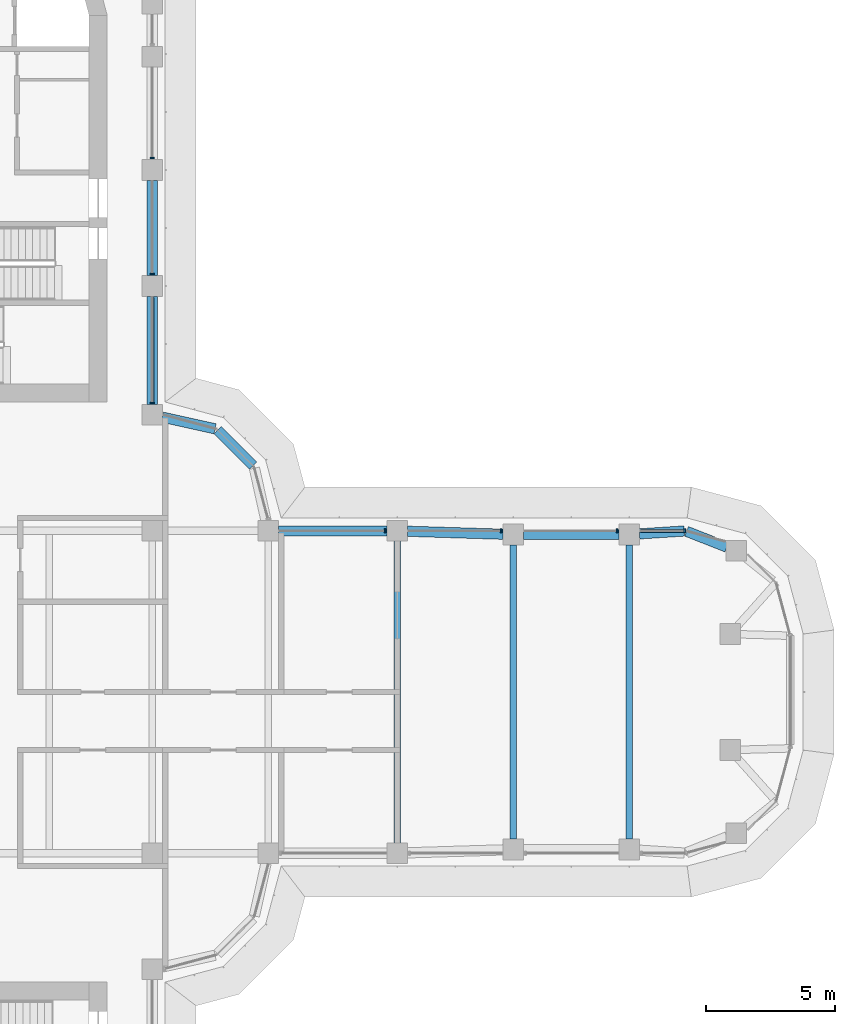
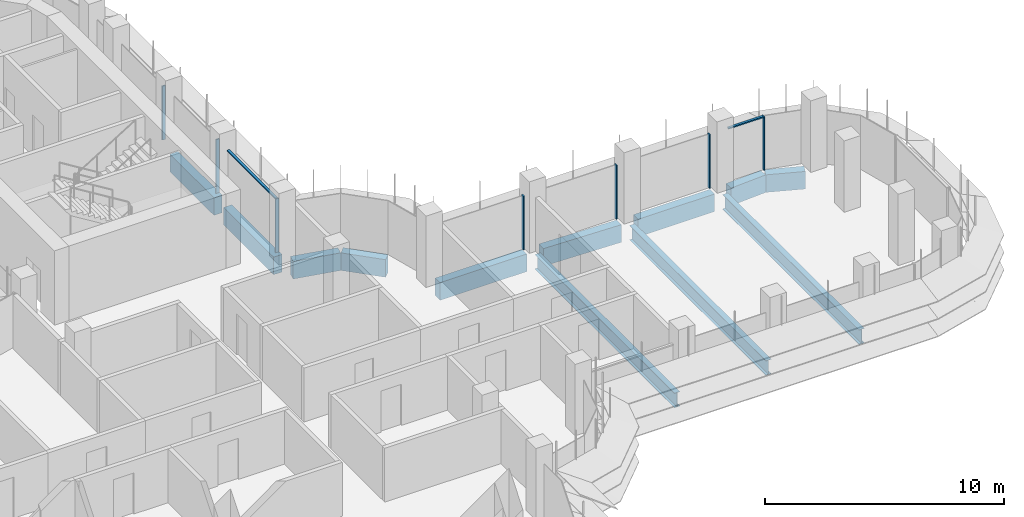
# One storey, part 8 of 19: 12 beams, 9 members, 2 elements without a shape of their own.
"""IFC4 building model written with IfcOpenShell, lengths in metres."""

from ifc_helpers import new_model, si_unit, direction, frame, origin, origin_2d, place, context, subcontext, project, spatial, polyline, rectangle, i_section, outline, extrude, source, transform, mapped, material, material_profile, profile_set, type_object, element, aggregate, save


model = new_model("IFC4")

# Units and contexts
model_context = context("Model", 3, precision=1e-05, world=origin(), true_north=direction((0.0, 1.0)))
body_context = subcontext(model_context, "Body", "Model", "MODEL_VIEW")
ifc_project = project(units=[si_unit("LENGTHUNIT", "METRE"), si_unit("AREAUNIT", "SQUARE_METRE"), si_unit("VOLUMEUNIT", "CUBIC_METRE"), si_unit("PLANEANGLEUNIT", "RADIAN"), si_unit("MASSUNIT", "GRAM", prefix="KILO")], contexts=[model_context])

# Site, building, storey
site_placement = place(None, origin())
site = spatial("IfcSite", under=ifc_project, at=site_placement, CompositionType="ELEMENT")
building_placement = place(site_placement, origin())
building = spatial("IfcBuilding", under=site, at=building_placement, Name="Zarbagh Exchange Tower", CompositionType="ELEMENT")
storey_placement = place(building_placement, frame((0.0, 0.0, 167.60009765625)))
storey = spatial("IfcBuildingStorey", under=building, at=storey_placement, Name="L40", CompositionType="ELEMENT", Elevation=167.60009765625)

# Beams
ifc_material_1 = material(Name="Steel ASTM A992 Gr 50", Category="steel")
ifc_material_profile_1 = material_profile(ifc_material_1, i_section(OverallWidth=0.26416015625, OverallDepth=0.749267578125, WebThickness=0.011962890625, FlangeThickness=0.015380859375, at=origin_2d()), Name="W30X90")
ifc_profile_set_1 = profile_set([ifc_material_profile_1], Name="Steel ASTM A992 Gr 50")
beam_type_1 = type_object("IfcBeamType", Name="Floor beam W30X90", PredefinedType="BEAM", material=ifc_profile_set_1)
beam_1_placement = place(storey_placement, frame((15.75, -5.85009765625, -0.524658203125), z_axis=(0.0, 1.0, 0.0), x_axis=(-1.0, 0.0, 0.0)))
element("IfcBeam", 1, at=beam_1_placement, inside=storey, type_object=beam_type_1, Name="Steel floor beam", PredefinedType="BEAM", context=body_context, shape_type="SweptSolid", body=[
    extrude(i_section(OverallWidth=0.26416015625, OverallDepth=0.749267578125, WebThickness=0.011962890625, FlangeThickness=0.015380859375, at=origin_2d()), origin(), (0.0, 0.0, 1.0), 11.7001953125),
])
for number, where, z_axis, x_axis, name in (
    (2, (20.25, -5.7099609375, -0.524658203125), (0.0, 1.0, 0.0), (-1.0, 0.0, 0.0), "Steel floor beam"),
    (3, (24.75, -5.7099609375, -0.524658203125), (0.0, 1.0, 0.0), (-1.0, 0.0, 0.0), "Steel floor beam"),
):
    element("IfcBeam", number, at=place(storey_placement, frame(where, z_axis=z_axis, x_axis=x_axis)), inside=storey, type_object=beam_type_1, Name=name, PredefinedType="BEAM", context=body_context, shape_type="SweptSolid", body=[
        extrude(i_section(OverallWidth=0.26416015625, OverallDepth=0.749267578125, WebThickness=0.011962890625, FlangeThickness=0.015380859375, at=origin_2d()), origin(), (0.0, 0.0, 1.0), 11.419921875),
    ])
ifc_material_2 = material(Name="Concrete C50/60", Category="concrete")
ifc_material_profile_2 = material_profile(ifc_material_2, rectangle(XDim=0.39990234375, YDim=0.89990234375, at=origin_2d()), Name="RC spandrel beam 400 x 900 C50/60")
ifc_profile_set_2 = profile_set([ifc_material_profile_2], Name="Concrete C50/60")
beam_type_2 = type_object("IfcBeamType", Name="RC spandrel beam 400 x 900 C50/60", PredefinedType="SPANDREL", material=ifc_profile_set_2)
beam_2_placement = place(storey_placement, frame((6.25, 19.85009765625, -0.60009765625), z_axis=(0.0, -1.0, 0.0), x_axis=(1.0, 0.0, 0.0)))
element("IfcBeam", 4, at=beam_2_placement, inside=storey, type_object=beam_type_2, Name="RC spandrel beam", PredefinedType="SPANDREL", context=body_context, shape_type="SweptSolid", body=[
    extrude(rectangle(XDim=0.39990234375, YDim=0.89990234375, at=origin_2d()), origin(), (0.0, 0.0, 1.0), 3.7001953125),
])
beam_3_placement = place(storey_placement, frame((6.25, 15.35009765625, -0.60009765625), z_axis=(0.0, -1.0, 0.0), x_axis=(1.0, 0.0, 0.0)))
element("IfcBeam", 5, at=beam_3_placement, inside=storey, type_object=beam_type_2, Name="RC spandrel beam", PredefinedType="SPANDREL", context=body_context, shape_type="SweptSolid", body=[
    extrude(rectangle(XDim=0.39990234375, YDim=0.89990234375, at=origin_2d()), origin(), (0.0, 0.0, 1.0), 4.2001953125),
])
beam_4_placement = place(storey_placement, frame((6.640625, 10.66357421875, -0.60009765625), z_axis=(0.976384278741, -0.216041061437, 0.0), x_axis=(0.216041061437, 0.976384278741, 0.0)))
element("IfcBeam", 6, at=beam_4_placement, inside=storey, type_object=beam_type_2, Name="RC spandrel beam", PredefinedType="SPANDREL", context=body_context, shape_type="SweptSolid", body=[
    extrude(rectangle(XDim=0.39990234375, YDim=0.89990234375, at=origin_2d()), origin(), (0.0, 0.0, 1.0), 2.0927734375),
])
beam_5_placement = place(storey_placement, frame((8.782470703125, 10.15771484375, -0.60009765625), z_axis=(0.707106781187, -0.707106781187, 0.0), x_axis=(0.707106781187, 0.707106781187, 0.0)))
element("IfcBeam", 7, at=beam_5_placement, inside=storey, type_object=beam_type_2, Name="RC spandrel beam", PredefinedType="SPANDREL", context=body_context, shape_type="SweptSolid", body=[
    extrude(rectangle(XDim=0.39990234375, YDim=0.89990234375, at=origin_2d()), origin(), (0.0, 0.0, 1.0), 1.94482421875),
])
beam_6_placement = place(storey_placement, frame((11.14990234375, 6.25, -0.60009765625), z_axis=(1.0, 0.0, 0.0), x_axis=(0.0, 1.0, 0.0)))
element("IfcBeam", 8, at=beam_6_placement, inside=storey, type_object=beam_type_2, Name="RC spandrel beam", PredefinedType="SPANDREL", context=body_context, shape_type="SweptSolid", body=[
    extrude(rectangle(XDim=0.39990234375, YDim=0.89990234375, at=origin_2d()), origin(), (0.0, 0.0, 1.0), 4.2001953125),
])
beam_7_placement = place(storey_placement, frame((16.14990234375, 6.237548828125, -0.60009765625), z_axis=(0.999515416033, -0.031127690444, 0.0), x_axis=(0.031127690444, 0.999515416033, 0.0)))
element("IfcBeam", 9, at=beam_7_placement, inside=storey, type_object=beam_type_2, Name="RC spandrel beam", PredefinedType="SPANDREL", context=body_context, shape_type="SweptSolid", body=[
    extrude(rectangle(XDim=0.39990234375, YDim=0.89990234375, at=origin_2d()), origin(), (0.0, 0.0, 1.0), 3.701904296875),
])
beam_8_placement = place(storey_placement, frame((20.64990234375, 6.110107421875, -0.60009765625), z_axis=(1.0, 0.0, 0.0), x_axis=(0.0, 1.0, 0.0)))
element("IfcBeam", 10, at=beam_8_placement, inside=storey, type_object=beam_type_2, Name="RC spandrel beam", PredefinedType="SPANDREL", context=body_context, shape_type="SweptSolid", body=[
    extrude(rectangle(XDim=0.39990234375, YDim=0.89990234375, at=origin_2d()), origin(), (0.0, 0.0, 1.0), 3.7001953125),
])
beam_9_placement = place(storey_placement, frame((25.149169921875, 6.135498046875, -0.60009765625), z_axis=(0.997942679773, 0.064112462805, 0.0), x_axis=(-0.064112462805, 0.997942679773, 0.0)))
element("IfcBeam", 11, at=beam_9_placement, inside=storey, type_object=beam_type_2, Name="RC spandrel beam", PredefinedType="SPANDREL", context=body_context, shape_type="SweptSolid", body=[
    extrude(rectangle(XDim=0.39990234375, YDim=0.89990234375, at=origin_2d()), origin(), (0.0, 0.0, 1.0), 1.744140625),
])
beam_10_placement = place(storey_placement, frame((26.9755859375, 6.233642578125, -0.60009765625), z_axis=(0.930818758612, -0.36548110569, 0.0), x_axis=(0.36548110569, 0.930818758612, 0.0)))
element("IfcBeam", 12, at=beam_10_placement, inside=storey, type_object=beam_type_2, Name="RC spandrel beam", PredefinedType="SPANDREL", context=body_context, shape_type="SweptSolid", body=[
    extrude(rectangle(XDim=0.39990234375, YDim=0.89990234375, at=origin_2d()), origin(), (0.0, 0.0, 1.0), 1.676025390625),
])

# Curtain wall, members
ifc_material_3 = material(Name="Anodised aluminium frame and glazing", Category="aluminium")
curtain_wall_type = type_object("IfcCurtainWallType", Name="CWB Ribbon glazing, upper zones", PredefinedType="NOTDEFINED", material=ifc_material_3)
curtain_wall_1_placement = place(storey_placement, origin())
curtain_wall_1 = element("IfcCurtainWall", 13, at=curtain_wall_1_placement, inside=storey, type_object=curtain_wall_type, Name="CWB16 curtain wall", PredefinedType="NOTDEFINED")
ifc_material_4 = material(Name="Anodised aluminium frame", Category="aluminium")
member_type_1 = type_object("IfcMemberType", Name="TRB Transom, anodised aluminium frame", PredefinedType="USERDEFINED", material=ifc_material_4)
shared_shape_1 = source(origin(), body_context, "Body", "SweptSolid", [
    extrude(outline(polyline([(-0.06005859375, -0.06005859375), (0.0, -0.06005859375), (0.0, 0.06005859375), (-0.06005859375, 0.06005859375), (-0.06005859375, -0.06005859375)])), origin(), (0.0, 0.0, 1.0), 1.68408203125),
])
placement = place(storey_placement, origin())
member_1 = element("IfcMember", 14, at=placement, type_object=member_type_1, Name="CWB16 transom 1.1", ObjectType="TRANSOM", PredefinedType="USERDEFINED", context=body_context, shape_type="MappedRepresentation", body=[
    mapped(shared_shape_1, transform((26.874267578125, 6.25, 2.75), x_axis=(0.0, 0.0, 1.0), y_axis=(0.0, 1.0, 0.0), z_axis=(-1.0, 0.0, 0.0))),
])
member_type_2 = type_object("IfcMemberType", Name="MUB Mullion, anodised aluminium frame", PredefinedType="MULLION", material=ifc_material_4)
shared_shape_2 = source(origin(), body_context, "Body", "SweptSolid", [
    extrude(outline(polyline([(0.0, -0.080078125), (0.06005859375, -0.080078125), (0.06005859375, 0.080078125), (0.0, 0.080078125), (0.0, -0.080078125)])), origin(), (0.0, 0.0, 1.0), 2.75),
])
member_2 = element("IfcMember", 15, at=placement, type_object=member_type_2, Name="CWB16 mullion 1.1", PredefinedType="MULLION", context=body_context, shape_type="MappedRepresentation", body=[
    mapped(shared_shape_2, transform((26.93408203125, 6.25, 0.0), x_axis=(-1.0, 0.0, 0.0), y_axis=(0.0, -1.0, 0.0), z_axis=(0.0, 0.0, 1.0))),
])
member_3 = element("IfcMember", 16, at=placement, type_object=member_type_2, Name="CWB16 mullion 2.1", PredefinedType="MULLION", context=body_context, shape_type="MappedRepresentation", body=[
    mapped(shared_shape_2, transform((24.31005859375, 6.25, 0.0), x_axis=(-1.0, 0.0, 0.0), y_axis=(0.0, -1.0, 0.0), z_axis=(0.0, 0.0, 1.0))),
])
member_4 = element("IfcMember", 17, at=placement, type_object=member_type_2, Name="CWB16 mullion 3.1", PredefinedType="MULLION", context=body_context, shape_type="MappedRepresentation", body=[
    mapped(shared_shape_2, transform((19.81005859375, 6.25, 0.0), x_axis=(-1.0, 0.0, 0.0), y_axis=(0.0, -1.0, 0.0), z_axis=(0.0, 0.0, 1.0))),
])
member_5 = element("IfcMember", 18, at=placement, type_object=member_type_2, Name="CWB16 mullion 4.1", PredefinedType="MULLION", context=body_context, shape_type="MappedRepresentation", body=[
    mapped(shared_shape_2, transform((15.31005859375, 6.25, 0.0), x_axis=(-1.0, 0.0, 0.0), y_axis=(0.0, -1.0, 0.0), z_axis=(0.0, 0.0, 1.0))),
])
aggregate(curtain_wall_1, [member_2, member_1, member_3, member_4, member_5])

curtain_wall_2_placement = place(storey_placement, origin())
curtain_wall_2 = element("IfcCurtainWall", 19, at=curtain_wall_2_placement, inside=storey, type_object=curtain_wall_type, Name="CWB20 curtain wall", PredefinedType="NOTDEFINED")
member_6 = element("IfcMember", 20, at=placement, type_object=member_type_2, Name="CWB20 mullion 1.1", PredefinedType="MULLION", context=body_context, shape_type="MappedRepresentation", body=[
    mapped(shared_shape_2, transform((6.25, 11.18994140625, 0.0), x_axis=(0.0, 1.0, 0.0), y_axis=(-1.0, 0.0, 0.0), z_axis=(0.0, 0.0, 1.0))),
])
member_7 = element("IfcMember", 21, at=placement, type_object=member_type_2, Name="CWB20 mullion 2.1", PredefinedType="MULLION", context=body_context, shape_type="MappedRepresentation", body=[
    mapped(shared_shape_2, transform((6.25, 16.18994140625, 0.0), x_axis=(0.0, 1.0, 0.0), y_axis=(-1.0, 0.0, 0.0), z_axis=(0.0, 0.0, 1.0))),
])
member_8 = element("IfcMember", 22, at=placement, type_object=member_type_2, Name="CWB20 mullion 3.1", PredefinedType="MULLION", context=body_context, shape_type="MappedRepresentation", body=[
    mapped(shared_shape_2, transform((6.25, 20.68994140625, 0.0), x_axis=(0.0, 1.0, 0.0), y_axis=(-1.0, 0.0, 0.0), z_axis=(0.0, 0.0, 1.0))),
])
shared_shape_3 = source(origin(), body_context, "Body", "SweptSolid", [
    extrude(outline(polyline([(-0.06005859375, -0.06005859375), (0.0, -0.06005859375), (0.0, 0.06005859375), (-0.06005859375, 0.06005859375), (-0.06005859375, -0.06005859375)])), origin(), (0.0, 0.0, 1.0), 4.06005859375),
])
member_9 = element("IfcMember", 23, at=placement, type_object=member_type_1, Name="CWB20 transom 1.1", ObjectType="TRANSOM", PredefinedType="USERDEFINED", context=body_context, shape_type="MappedRepresentation", body=[
    mapped(shared_shape_3, transform((6.25, 11.25, 2.75), x_axis=(0.0, 0.0, 1.0), y_axis=(1.0, 0.0, 0.0), z_axis=(0.0, 1.0, 0.0))),
])
aggregate(curtain_wall_2, [member_6, member_9, member_7, member_8])

save(model, "model.ifc")
